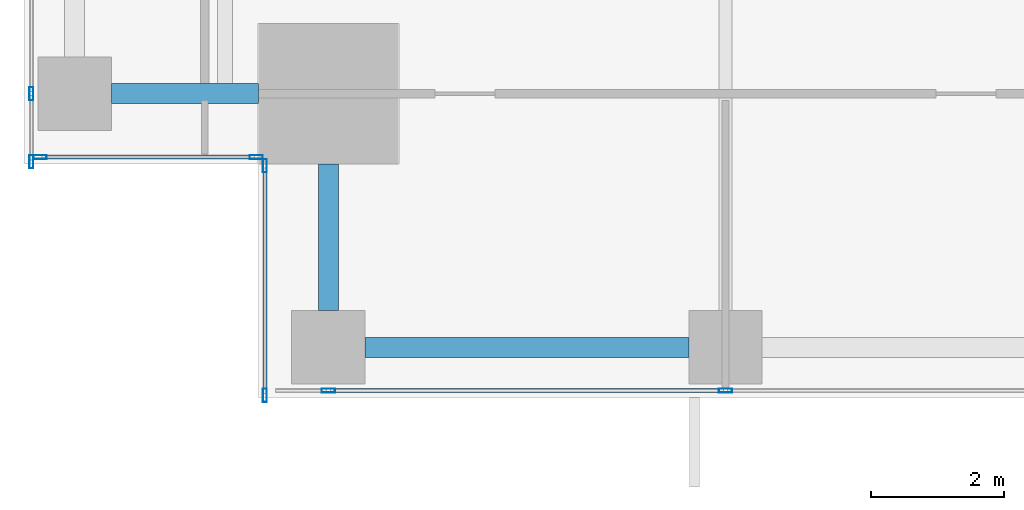
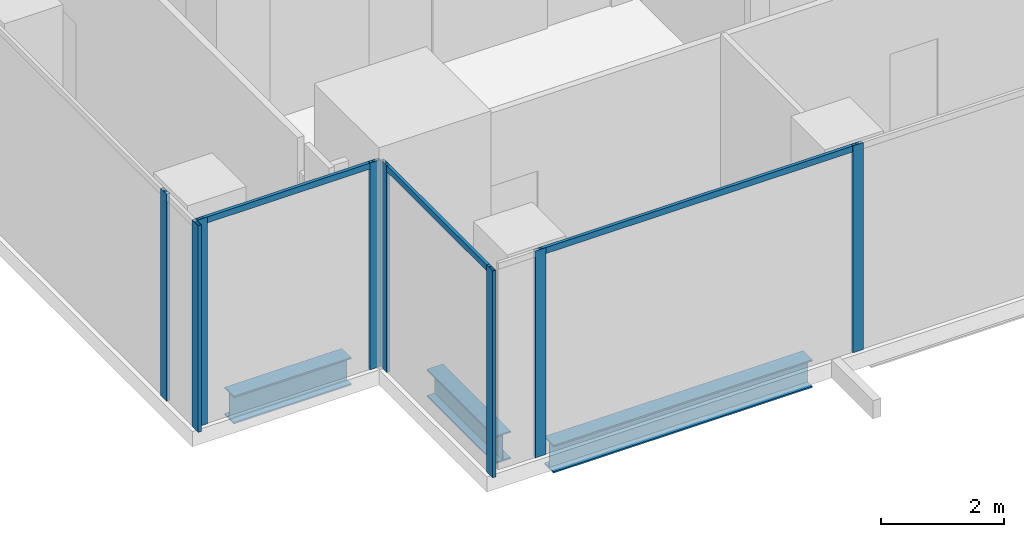
# One storey, part 2 of 34: 11 members, 3 beams, 4 elements without a shape of their own.
"""IFC4 building model written with IfcOpenShell, lengths in metres."""

from ifc_helpers import new_model, si_unit, direction, frame, origin, origin_2d, place, context, subcontext, project, spatial, hollow_rectangle, i_section, extrude, source, transform, mapped, material, material_profile, profile_set, type_object, element, aggregate, save


model = new_model("IFC4")

# Units and contexts
model_context = context("Model", 3, precision=1e-05, world=origin(), true_north=direction((0.0, 1.0)))
body_context = subcontext(model_context, "Body", "Model", "MODEL_VIEW")
ifc_project = project(units=[si_unit("LENGTHUNIT", "METRE"), si_unit("AREAUNIT", "SQUARE_METRE"), si_unit("VOLUMEUNIT", "CUBIC_METRE"), si_unit("PLANEANGLEUNIT", "RADIAN"), si_unit("MASSUNIT", "GRAM", prefix="KILO")], contexts=[model_context])

# Site, building, storey
site_placement = place(None, origin())
site = spatial("IfcSite", under=ifc_project, at=site_placement, CompositionType="ELEMENT")
building_placement = place(site_placement, origin())
building = spatial("IfcBuilding", under=site, at=building_placement, Name="Khomas Fold Tower", CompositionType="ELEMENT")
storey_placement = place(building_placement, frame((0.0, 0.0, 110.300048828125)))
storey = spatial("IfcBuildingStorey", under=building, at=storey_placement, Name="L23", CompositionType="ELEMENT", Elevation=110.300048828125)

# Beams
ifc_material_1 = material(Name="Steel S355", Category="steel")
ifc_material_profile_1 = material_profile(ifc_material_1, i_section(OverallWidth=0.300048828125, OverallDepth=0.550048828125, WebThickness=0.014892578125, FlangeThickness=0.029052734375, at=origin_2d()), Name="HE 550 B")
ifc_profile_set_1 = profile_set([ifc_material_profile_1], Name="Steel S355")
beam_type = type_object("IfcBeamType", Name="HE 550 B spandrel SB2", PredefinedType="SPANDREL", material=ifc_profile_set_1)
shared_shape_1 = source(origin(), body_context, "Body", "SweptSolid", [
    extrude(i_section(OverallWidth=0.300048828125, OverallDepth=0.550048828125, WebThickness=0.014892578125, FlangeThickness=0.029052734375, at=origin_2d()), origin(), (0.0, 0.0, 1.0), 4.849853515625),
])
beam_placement = place(storey_placement, frame((6.60009765625, 2.25, -0.574951171875), z_axis=(1.0, 0.0, 0.0), x_axis=(0.0, 1.0, 0.0)))
element("IfcBeam", 1, at=beam_placement, inside=storey, type_object=beam_type, Name="SB2", PredefinedType="SPANDREL", context=body_context, shape_type="MappedRepresentation", body=[
    mapped(shared_shape_1, transform((0.0, 0.0, 0.0))),
])
shared_shape_2 = source(origin(), body_context, "Body", "SweptSolid", [
    extrude(i_section(OverallWidth=0.300048828125, OverallDepth=0.550048828125, WebThickness=0.014892578125, FlangeThickness=0.029052734375, at=origin_2d()), origin(), (0.0, 0.0, 1.0), 2.199951171875),
])
for number, where, z_axis, x_axis, name in (
    (2, (2.800048828125, 6.050048828125, -0.574951171875), (1.0, 0.0, 0.0), (0.0, 1.0, 0.0), "SB2"),
    (3, (6.050048828125, 2.800048828125, -0.574951171875), (0.0, 1.0, 0.0), (-1.0, 0.0, 0.0), "SB2"),
):
    element("IfcBeam", number, at=place(storey_placement, frame(where, z_axis=z_axis, x_axis=x_axis)), inside=storey, type_object=beam_type, Name=name, PredefinedType="SPANDREL", context=body_context, shape_type="MappedRepresentation", body=[
        mapped(shared_shape_2, transform((0.0, 0.0, 0.0))),
    ])

# Curtain wall, member
ifc_material_2 = material(Name="Aluminium framed double glazing", Category="aluminium")
curtain_wall_type = type_object("IfcCurtainWallType", Name="SK-Unitised clear-glass wall, growing floors CW1", PredefinedType="NOTDEFINED", material=ifc_material_2)
curtain_wall_1_placement = place(storey_placement, origin())
curtain_wall_1 = element("IfcCurtainWall", 4, at=curtain_wall_1_placement, inside=storey, type_object=curtain_wall_type, Name="CW1 run L23 00-0", PredefinedType="NOTDEFINED")
ifc_material_3 = material(Name="Aluminium", Category="aluminium")
ifc_material_profile_2 = material_profile(ifc_material_3, hollow_rectangle(XDim=0.06005859375, YDim=0.1201171875, WallThickness=0.00390625, at=origin_2d()), Name="SK-Unitised clear-glass wall, growing floors transom CW1-T")
ifc_profile_set_2 = profile_set([ifc_material_profile_2], Name="Aluminium")
member_type_1 = type_object("IfcMemberType", Name="SK-Unitised clear-glass wall, growing floors transom CW1-T", PredefinedType="USERDEFINED", material=ifc_profile_set_2)
shared_shape_3 = source(origin(), body_context, "Body", "SweptSolid", [
    extrude(hollow_rectangle(XDim=0.06005859375, YDim=0.1201171875, WallThickness=0.00390625, at=origin_2d()), origin(), (0.0, 0.0, 1.0), 5.889892578125),
])
member_1_placement = place(storey_placement, frame((6.080078125, 1.60009765625, 4.0400390625), z_axis=(1.0, 0.0, 0.0), x_axis=(0.0, 1.0, 0.0)))
member_1 = element("IfcMember", 5, at=member_1_placement, type_object=member_type_1, Name="CW1 transom 2", ObjectType="TRANSOM", PredefinedType="USERDEFINED", context=body_context, shape_type="MappedRepresentation", body=[
    mapped(shared_shape_3, transform((0.0, 0.0, 0.0))),
])

curtain_wall_2_placement = place(storey_placement, origin())
curtain_wall_2 = element("IfcCurtainWall", 6, at=curtain_wall_2_placement, inside=storey, type_object=curtain_wall_type, Name="CW1 corner return L23 10", PredefinedType="NOTDEFINED")
shared_shape_4 = source(origin(), body_context, "Body", "SweptSolid", [
    extrude(hollow_rectangle(XDim=0.06005859375, YDim=0.1201171875, WallThickness=0.00390625, at=origin_2d()), origin(), (0.0, 0.0, 1.0), 3.179931640625),
])
member_2_placement = place(storey_placement, frame((1.760009765625, 5.10009765625, 4.0400390625), z_axis=(1.0, 0.0, 0.0), x_axis=(0.0, 1.0, 0.0)))
member_2 = element("IfcMember", 7, at=member_2_placement, type_object=member_type_1, Name="CW1 transom 1", ObjectType="TRANSOM", PredefinedType="USERDEFINED", context=body_context, shape_type="MappedRepresentation", body=[
    mapped(shared_shape_4, transform((0.0, 0.0, 0.0))),
])

curtain_wall_3_placement = place(storey_placement, origin())
curtain_wall_3 = element("IfcCurtainWall", 8, at=curtain_wall_3_placement, inside=storey, type_object=curtain_wall_type, Name="CW1 corner return L23 11", PredefinedType="NOTDEFINED")
shared_shape_5 = source(origin(), body_context, "Body", "SweptSolid", [
    extrude(hollow_rectangle(XDim=0.06005859375, YDim=0.1201171875, WallThickness=0.00390625, at=origin_2d()), origin(), (0.0, 0.0, 1.0), 3.3798828125),
])
member_3_placement = place(storey_placement, frame((5.10009765625, 4.93994140625, 4.0400390625), z_axis=(0.0, -1.0, 0.0), x_axis=(1.0, 0.0, 0.0)))
member_3 = element("IfcMember", 9, at=member_3_placement, type_object=member_type_1, Name="CW1 transom 1", ObjectType="TRANSOM", PredefinedType="USERDEFINED", context=body_context, shape_type="MappedRepresentation", body=[
    mapped(shared_shape_5, transform((0.0, 0.0, 0.0))),
])

# Member
ifc_material_4 = material(Name="Aluminium", Category="aluminium")
ifc_material_profile_3 = material_profile(ifc_material_4, hollow_rectangle(XDim=0.06005859375, YDim=0.199951171875, WallThickness=0.00390625, at=origin_2d()), Name="SK-Unitised clear-glass wall, growing floors mullion CW1-M")
ifc_profile_set_3 = profile_set([ifc_material_profile_3], Name="Aluminium")
member_type_2 = type_object("IfcMemberType", Name="SK-Unitised clear-glass wall, growing floors mullion CW1-M", PredefinedType="MULLION", material=ifc_profile_set_3)
shared_shape_6 = source(origin(), body_context, "Body", "SweptSolid", [
    extrude(hollow_rectangle(XDim=0.06005859375, YDim=0.199951171875, WallThickness=0.00390625, at=origin_2d()), origin(), (0.0, 0.0, 1.0), 4.099853515625),
])
member_4_placement = place(storey_placement, frame((6.050048828125, 1.60009765625, 0.0), z_axis=(0.0, 0.0, 1.0), x_axis=(0.0, 1.0, 0.0)))
member_4 = element("IfcMember", 10, at=member_4_placement, type_object=member_type_2, Name="CW1 mullion 2", PredefinedType="MULLION", context=body_context, shape_type="MappedRepresentation", body=[
    mapped(shared_shape_6, transform((0.0, 0.0, 0.0))),
])

member_5_placement = place(storey_placement, frame((12.0, 1.60009765625, 0.0), z_axis=(0.0, 0.0, 1.0), x_axis=(0.0, 1.0, 0.0)))
member_5 = element("IfcMember", 11, at=member_5_placement, type_object=member_type_2, Name="CW1 mullion 3", PredefinedType="MULLION", context=body_context, shape_type="MappedRepresentation", body=[
    mapped(shared_shape_6, transform((0.0, 0.0, 0.0))),
])

aggregate(curtain_wall_1, [member_4, member_5, member_1])

# Curtain wall, members
curtain_wall_4_placement = place(storey_placement, origin())
curtain_wall_4 = element("IfcCurtainWall", 12, at=curtain_wall_4_placement, inside=storey, type_object=curtain_wall_type, Name="CW1 run L23 09-0", PredefinedType="NOTDEFINED")
member_6_placement = place(storey_placement, frame((1.60009765625, 6.050048828125, 0.0), z_axis=(0.0, 0.0, 1.0), x_axis=(1.0, 0.0, 0.0)))
member_6 = element("IfcMember", 13, at=member_6_placement, type_object=member_type_2, Name="CW1 mullion 8", PredefinedType="MULLION", context=body_context, shape_type="MappedRepresentation", body=[
    mapped(shared_shape_6, transform((0.0, 0.0, 0.0))),
])
member_7_placement = place(storey_placement, frame((1.60009765625, 5.030029296875, 0.0), z_axis=(0.0, 0.0, 1.0), x_axis=(1.0, 0.0, 0.0)))
member_7 = element("IfcMember", 14, at=member_7_placement, type_object=member_type_2, Name="CW1 mullion 9", PredefinedType="MULLION", context=body_context, shape_type="MappedRepresentation", body=[
    mapped(shared_shape_6, transform((0.0, 0.0, 0.0))),
])
aggregate(curtain_wall_4, [member_6, member_7])

# Member
member_8_placement = place(storey_placement, frame((1.72998046875, 5.10009765625, 0.0), z_axis=(0.0, 0.0, 1.0), x_axis=(0.0, 1.0, 0.0)))
member_8 = element("IfcMember", 15, at=member_8_placement, type_object=member_type_2, Name="CW1 mullion 1", PredefinedType="MULLION", context=body_context, shape_type="MappedRepresentation", body=[
    mapped(shared_shape_6, transform((0.0, 0.0, 0.0))),
])

member_9_placement = place(storey_placement, frame((4.969970703125, 5.10009765625, 0.0), z_axis=(0.0, 0.0, 1.0), x_axis=(0.0, 1.0, 0.0)))
member_9 = element("IfcMember", 16, at=member_9_placement, type_object=member_type_2, Name="CW1 mullion 2", PredefinedType="MULLION", context=body_context, shape_type="MappedRepresentation", body=[
    mapped(shared_shape_6, transform((0.0, 0.0, 0.0))),
])

aggregate(curtain_wall_2, [member_8, member_9, member_2])

member_10_placement = place(storey_placement, frame((5.10009765625, 4.969970703125, 0.0), z_axis=(0.0, 0.0, 1.0), x_axis=(1.0, 0.0, 0.0)))
member_10 = element("IfcMember", 17, at=member_10_placement, type_object=member_type_2, Name="CW1 mullion 1", PredefinedType="MULLION", context=body_context, shape_type="MappedRepresentation", body=[
    mapped(shared_shape_6, transform((0.0, 0.0, 0.0))),
])

member_11_placement = place(storey_placement, frame((5.10009765625, 1.530029296875, 0.0), z_axis=(0.0, 0.0, 1.0), x_axis=(1.0, 0.0, 0.0)))
member_11 = element("IfcMember", 18, at=member_11_placement, type_object=member_type_2, Name="CW1 mullion 2", PredefinedType="MULLION", context=body_context, shape_type="MappedRepresentation", body=[
    mapped(shared_shape_6, transform((0.0, 0.0, 0.0))),
])

aggregate(curtain_wall_3, [member_10, member_11, member_3])

save(model, "model.ifc")
